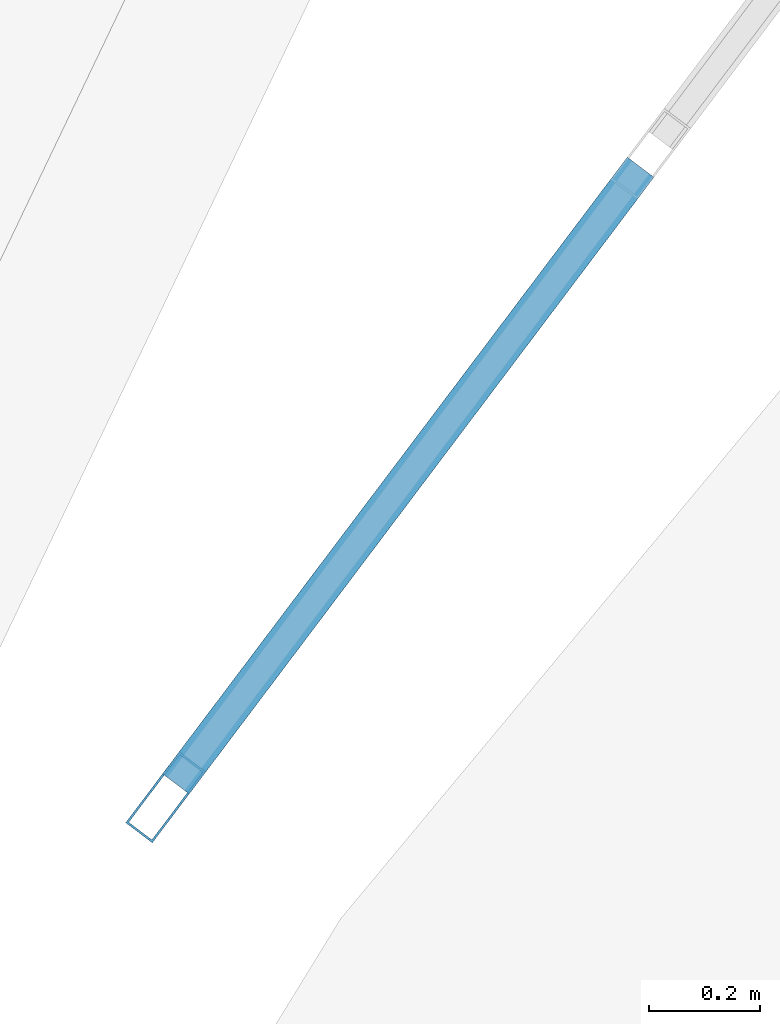
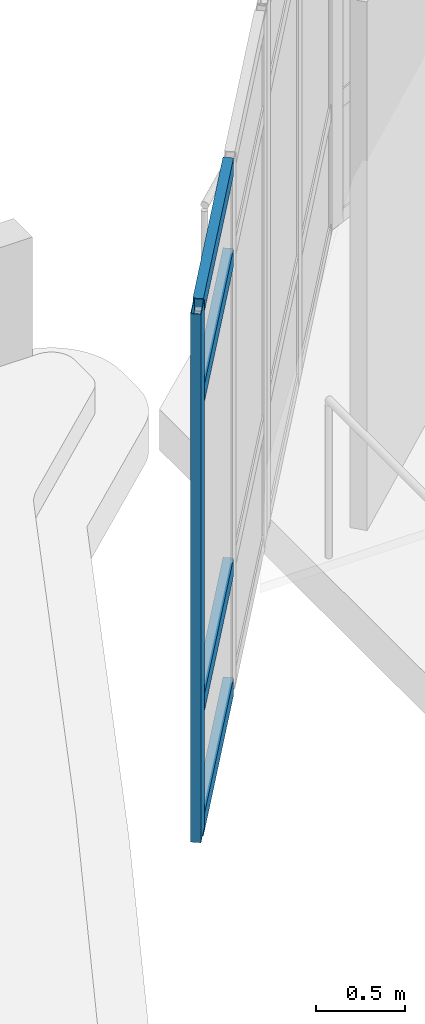
# One storey, part 35 of 74: 5 members, 1 element without a shape of its own.
"""IFC4 building model written with IfcOpenShell, lengths in metres."""

from ifc_helpers import new_model, si_unit, derived_unit, direction, frame, origin, origin_2d, place, context, subcontext, project, spatial, hollow_rectangle, extrude, material, layer, layer_set, material_profile, profile_set, type_object, element, aggregate, save


model = new_model("IFC4")

# Units and contexts
model_context = context("Model", 3, precision=1e-05, world=origin(), true_north=direction((0.0, 1.0)))
body_context = subcontext(model_context, "Body", "Model", "MODEL_VIEW")
ifc_project = project(units=[si_unit("LENGTHUNIT", "METRE"), si_unit("AREAUNIT", "SQUARE_METRE"), si_unit("VOLUMEUNIT", "CUBIC_METRE"), si_unit("PLANEANGLEUNIT", "RADIAN"), si_unit("MASSUNIT", "GRAM", prefix="KILO"), derived_unit("THERMALTRANSMITTANCEUNIT", [(si_unit("POWERUNIT", "WATT"), 1), (si_unit("LENGTHUNIT", "METRE"), -2), (si_unit("THERMODYNAMICTEMPERATUREUNIT", "KELVIN"), -1)])], contexts=[model_context])

# Site, building, storey
site_placement = place(None, origin())
site = spatial("IfcSite", under=ifc_project, at=site_placement, CompositionType="ELEMENT")
building_placement = place(site_placement, origin())
building = spatial("IfcBuilding", under=site, at=building_placement, Name="Elbkamm Science Centre", CompositionType="ELEMENT")
storey_placement = place(building_placement, frame((0.0, 0.0, 14.39990234375)))
storey = spatial("IfcBuildingStorey", under=building, at=storey_placement, Name="L03", CompositionType="ELEMENT", Elevation=14.39990234375)

# Curtain wall, members
ifc_material_1 = material(Name="Powder-coated aluminium and triple low-E glazing", Category="aluminium")
ifc_layer = layer(ifc_material_1, 0.159912109375)
ifc_layer_set = layer_set([ifc_layer], Name="Powder-coated aluminium and triple low-E glazing")
curtain_wall_type = type_object("IfcCurtainWallType", Name="CW-UNIT-2960x3620", PredefinedType="USERDEFINED", material=ifc_layer_set)
curtain_wall_placement = place(storey_placement, origin())
curtain_wall = element("IfcCurtainWall", 1, at=curtain_wall_placement, inside=storey, type_object=curtain_wall_type, Name="L03 Unitised Curtain Wall 064", ObjectType="UNITISED CURTAIN WALL", PredefinedType="USERDEFINED")
ifc_material_2 = material(Name="Powder-coated aluminium EN AW-6060", Category="aluminium")
ifc_material_profile_1 = material_profile(ifc_material_2, hollow_rectangle(XDim=0.06005859375, YDim=0.159912109375, WallThickness=0.00390625, at=origin_2d()), Name="ALU M60x160")
ifc_profile_set_1 = profile_set([ifc_material_profile_1], Name="Powder-coated aluminium EN AW-6060")
member_type_1 = type_object("IfcMemberType", Name="CW-MUL-60x160", PredefinedType="MULLION", material=ifc_profile_set_1)
member_1_placement = place(storey_placement, frame((40.10498046875, 79.406494140625, 0.0), z_axis=(0.0, 0.0, 1.0), x_axis=(0.798585651148, -0.601881182445, 0.0)))
member_1 = element("IfcMember", 2, at=member_1_placement, type_object=member_type_1, Name="CW-022 mullion 3", PredefinedType="MULLION", context=body_context, shape_type="SweptSolid", body=[
    extrude(hollow_rectangle(XDim=0.06005859375, YDim=0.159912109375, WallThickness=0.00390625, at=origin_2d()), origin(), (0.0, 0.0, 1.0), 3.6201171875),
])
ifc_material_profile_2 = material_profile(ifc_material_2, hollow_rectangle(XDim=0.06005859375, YDim=0.1201171875, WallThickness=0.00341796875, at=origin_2d()), Name="ALU T60x120")
ifc_profile_set_2 = profile_set([ifc_material_profile_2], Name="Powder-coated aluminium EN AW-6060")
member_type_2 = type_object("IfcMemberType", Name="CW-TRN-60x120", PredefinedType="USERDEFINED", material=ifc_profile_set_2)
member_2_placement = place(storey_placement, frame((40.958740234375, 80.539306640625, 0.030029296875), z_axis=(-0.601855114948, -0.798605297135, 0.0), x_axis=(0.798605297135, -0.601855114948, 0.0)))
member_2 = element("IfcMember", 3, at=member_2_placement, type_object=member_type_2, Name="CW-022 transom 2.1", ObjectType="TRANSOM", PredefinedType="USERDEFINED", context=body_context, shape_type="SweptSolid", body=[
    extrude(hollow_rectangle(XDim=0.06005859375, YDim=0.1201171875, WallThickness=0.00341796875, at=origin_2d()), origin(), (0.0, 0.0, 1.0), 1.388427734375),
])
member_3_placement = place(storey_placement, frame((40.958740234375, 80.539306640625, 0.85009765625), z_axis=(-0.601855114948, -0.798605297135, 0.0), x_axis=(0.798605297135, -0.601855114948, 0.0)))
member_3 = element("IfcMember", 4, at=member_3_placement, type_object=member_type_2, Name="CW-022 transom 2.2", ObjectType="TRANSOM", PredefinedType="USERDEFINED", context=body_context, shape_type="SweptSolid", body=[
    extrude(hollow_rectangle(XDim=0.06005859375, YDim=0.1201171875, WallThickness=0.00341796875, at=origin_2d()), origin(), (0.0, 0.0, 1.0), 1.388427734375),
])
member_4_placement = place(storey_placement, frame((40.958740234375, 80.539306640625, 2.97021484375), z_axis=(-0.601855114948, -0.798605297135, 0.0), x_axis=(0.798605297135, -0.601855114948, 0.0)))
member_4 = element("IfcMember", 5, at=member_4_placement, type_object=member_type_2, Name="CW-022 transom 2.3", ObjectType="TRANSOM", PredefinedType="USERDEFINED", context=body_context, shape_type="SweptSolid", body=[
    extrude(hollow_rectangle(XDim=0.06005859375, YDim=0.1201171875, WallThickness=0.00341796875, at=origin_2d()), origin(), (0.0, 0.0, 1.0), 1.388427734375),
])
member_5_placement = place(storey_placement, frame((40.958740234375, 80.539306640625, 3.590087890625), z_axis=(-0.601855114948, -0.798605297135, 0.0), x_axis=(0.798605297135, -0.601855114948, 0.0)))
member_5 = element("IfcMember", 6, at=member_5_placement, type_object=member_type_2, Name="CW-022 transom 2.4", ObjectType="TRANSOM", PredefinedType="USERDEFINED", context=body_context, shape_type="SweptSolid", body=[
    extrude(hollow_rectangle(XDim=0.06005859375, YDim=0.1201171875, WallThickness=0.00341796875, at=origin_2d()), origin(), (0.0, 0.0, 1.0), 1.388427734375),
])
aggregate(curtain_wall, [member_1, member_2, member_3, member_4, member_5])

save(model, "model.ifc")
